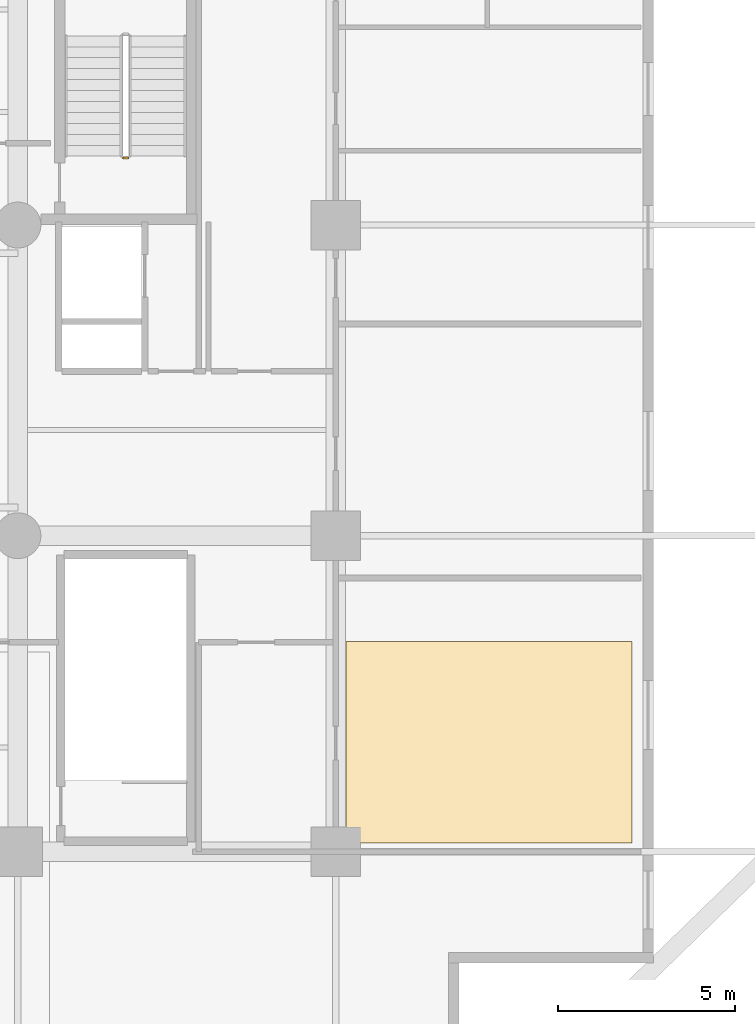
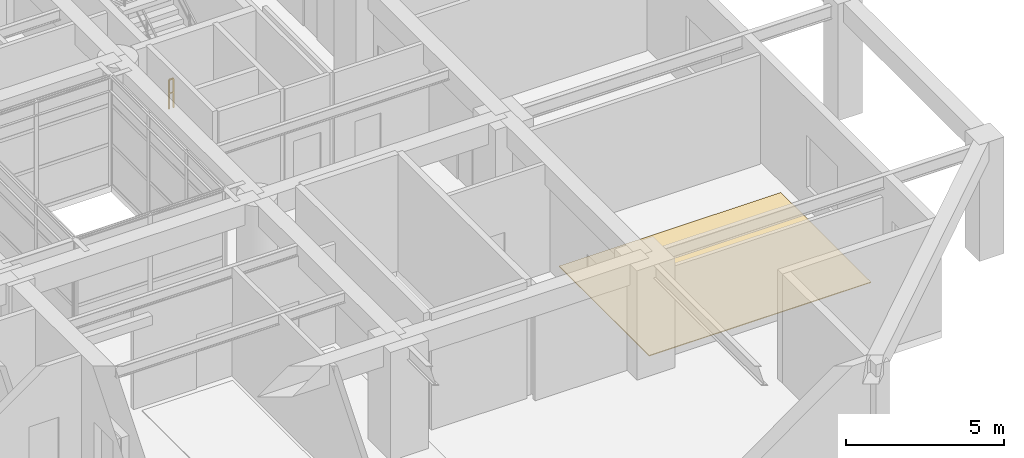
# One storey, part 12 of 13: 1 covering, 1 railing.
"""IFC4 building model written with IfcOpenShell, lengths in metres."""

from ifc_helpers import new_model, si_unit, direction, frame, origin, origin_2d, place, context, subcontext, project, spatial, polyline, rectangle, outline, extrude, material, layer, layer_set, type_object, element, save


model = new_model("IFC4")

# Units and contexts
model_context = context("Model", 3, precision=1e-05, world=origin(), true_north=direction((0.0, 1.0)))
body_context = subcontext(model_context, "Body", "Model", "MODEL_VIEW")
ifc_project = project(units=[si_unit("LENGTHUNIT", "METRE"), si_unit("AREAUNIT", "SQUARE_METRE"), si_unit("VOLUMEUNIT", "CUBIC_METRE"), si_unit("PLANEANGLEUNIT", "RADIAN"), si_unit("MASSUNIT", "GRAM", prefix="KILO")], contexts=[model_context])

# Site, building, storey
site_placement = place(None, origin())
site = spatial("IfcSite", under=ifc_project, at=site_placement, CompositionType="ELEMENT")
building_placement = place(site_placement, origin())
building = spatial("IfcBuilding", under=site, at=building_placement, Name="Kundavana Baori Tower", CompositionType="ELEMENT")
storey_placement = place(building_placement, frame((0.0, 0.0, 21.5)))
storey = spatial("IfcBuildingStorey", under=building, at=storey_placement, Name="L04", CompositionType="ELEMENT", Elevation=21.5)

# Covering
ifc_material_1 = material(Name="Honed Kota Stone and Terrazzo Flooring", Category="masonry")
ifc_layer = layer(ifc_material_1, 0.030029296875, Name="COV-INT-FLR")
ifc_layer_set = layer_set([ifc_layer], Name="Honed Kota Stone and Terrazzo Flooring")
covering_type = type_object("IfcCoveringType", Name="COV-INT-FLR", PredefinedType="FLOORING", material=ifc_layer_set)
covering_placement = place(storey_placement, origin())
element("IfcCovering", 1, at=covering_placement, inside=storey, type_object=covering_type, Name="L04 Room Finished Stone Flooring 4", PredefinedType="FLOORING", context=body_context, shape_type="SweptSolid", body=[
    extrude(outline(polyline([(43.10009765625, 15.5), (51.199951171875, 15.5), (51.199951171875, 21.199951171875), (43.10009765625, 21.199951171875), (43.10009765625, 15.5)])), origin(), (0.0, 0.0, 1.0), 0.030029296875),
])

# Railing
ifc_material_2 = material(Name="Architectural Patinated Bronze Metalwork")
railing_type = type_object("IfcRailingType", Name="RL-GRD-1150", PredefinedType="GUARDRAIL", material=ifc_material_2)
railing_placement = place(storey_placement, frame((36.929931640625, 34.89990234375, 0.0)))
element("IfcRailing", 2, at=railing_placement, inside=storey, type_object=railing_type, Name="L04 ST3 stair guard 4", PredefinedType="GUARDRAIL", context=body_context, shape_type="SweptSolid", body=[
    extrude(rectangle(XDim=0.048095703125, YDim=0.048095703125, at=origin_2d()), frame((0.0, 0.0, 1.1259765625), z_axis=(-1.0, 0.0, 0.0), x_axis=(0.0, -1.0, 0.0)), (0.0, 0.0, 1.0), 0.159912109375),
    extrude(rectangle(XDim=0.03125, YDim=0.03125, at=origin_2d()), frame((0.0, 0.0, 0.597900390625), z_axis=(-1.0, 0.0, 0.0), x_axis=(0.0, -1.0, 0.0)), (0.0, 0.0, 1.0), 0.159912109375),
    extrude(rectangle(XDim=0.0419921875, YDim=0.0419921875, at=origin_2d()), origin(), (0.0, 0.0, 1.0), 1.101806640625),
    extrude(rectangle(XDim=0.0419921875, YDim=0.0419921875, at=origin_2d()), frame((-0.159912109375, 0.0, 0.0)), (0.0, 0.0, 1.0), 1.101806640625),
])

save(model, "model.ifc")
